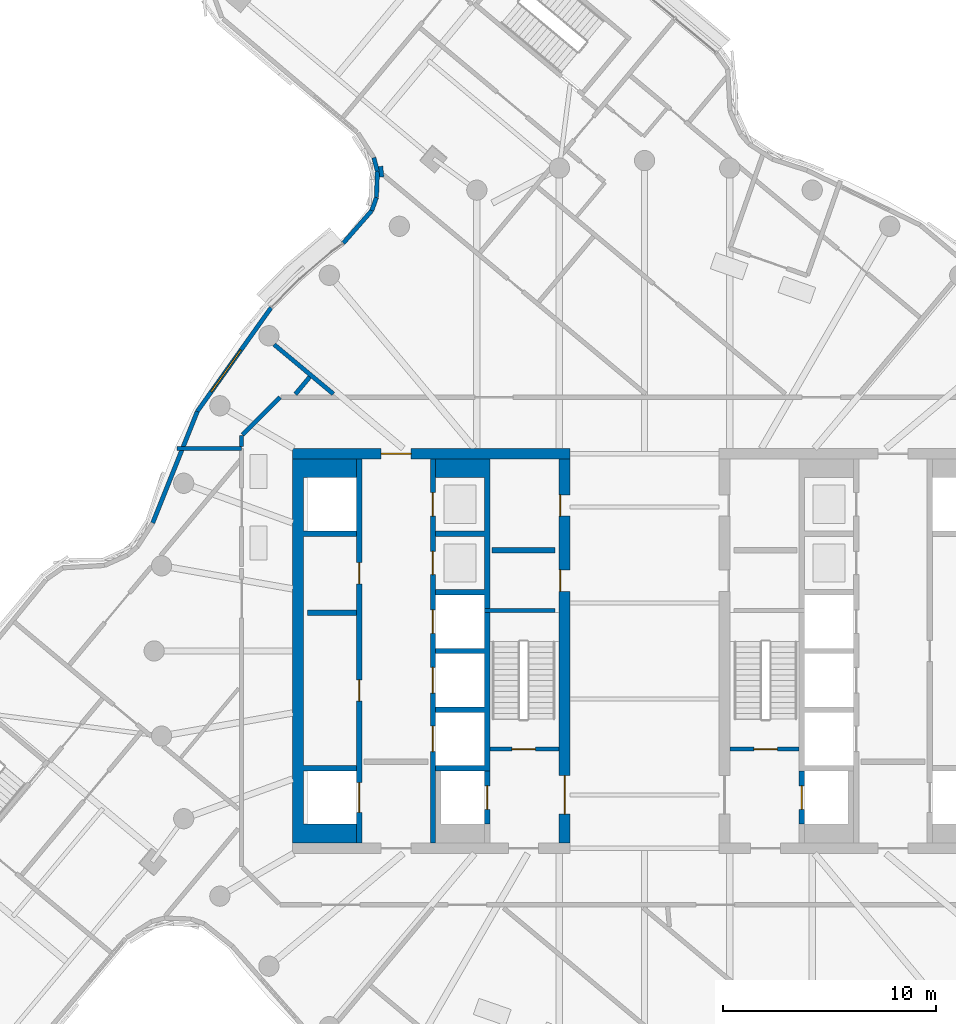
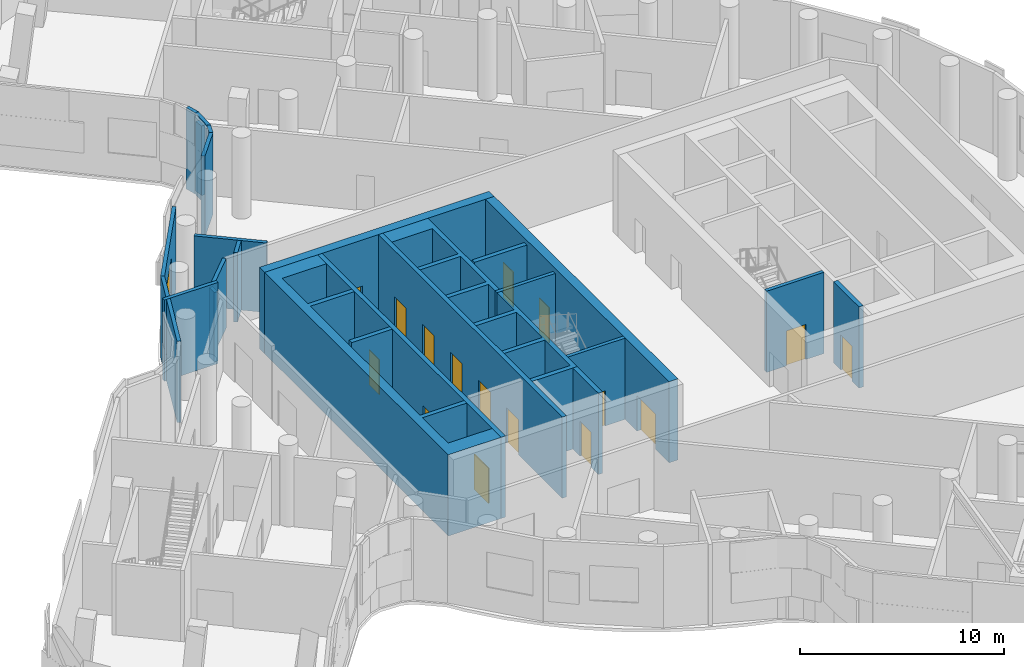
# One storey, part 9 of 19: 25 walls, 16 doors, 1 window, 17 openings.
"""IFC4 building model written with IfcOpenShell, lengths in metres."""

from ifc_helpers import new_model, si_unit, direction, frame, frame_2d, origin, place, context, subcontext, project, spatial, polyline, rectangle, outline, extrude, material, layer, layer_set, type_object, element, fill, save


model = new_model("IFC4")

# Units and contexts
model_context = context("Model", 3, precision=1e-05, world=origin(), true_north=direction((0.0, 1.0)))
body_context = subcontext(model_context, "Body", "Model", "MODEL_VIEW")
ifc_project = project(units=[si_unit("LENGTHUNIT", "METRE"), si_unit("AREAUNIT", "SQUARE_METRE"), si_unit("VOLUMEUNIT", "CUBIC_METRE"), si_unit("PLANEANGLEUNIT", "RADIAN"), si_unit("MASSUNIT", "GRAM", prefix="KILO")], contexts=[model_context])

# Site, building, storey
site_placement = place(None, origin())
site = spatial("IfcSite", under=ifc_project, at=site_placement, CompositionType="ELEMENT")
building_placement = place(site_placement, origin())
building = spatial("IfcBuilding", under=site, at=building_placement, Name="Tamarind Cross Interchange Tower", CompositionType="ELEMENT")
storey_placement = place(building_placement, frame((0.0, 0.0, 214.89990234375)))
storey = spatial("IfcBuildingStorey", under=building, at=storey_placement, Name="L54", CompositionType="ELEMENT", Elevation=214.89990234375)

# Walls
ifc_material_1 = material(Name="Concrete C40", Category="concrete")
ifc_layer_1 = layer(ifc_material_1, 0.199951171875)
ifc_layer_set_1 = layer_set([ifc_layer_1], Name="Concrete C40")
wall_type_1 = type_object("IfcWallType", Name="Balcony and garden door wall", PredefinedType="SOLIDWALL", material=ifc_layer_set_1)
wall_1_placement = place(storey_placement, frame((-18.89990234375, 9.5, 0.0), z_axis=(0.0, 0.0, 1.0), x_axis=(-1.0, 0.0, 0.0)))
element("IfcWall", 1, at=wall_1_placement, inside=storey, type_object=wall_type_1, Name="EXW-L54-WG-L54-NW-R0", PredefinedType="SOLIDWALL", context=body_context, shape_type="SweptSolid", body=[
    extrude(rectangle(XDim=3.033447265625, YDim=0.199951171875, at=frame_2d((1.5166015625, 0.0))), origin(), (0.0, 0.0, 1.0), 4.860107421875),
])
ifc_material_2 = material(Name="Concrete C55", Category="concrete")
ifc_layer_2 = layer(ifc_material_2, 0.5)
ifc_layer_set_2 = layer_set([ifc_layer_2], Name="Concrete C55")
wall_type_2 = type_object("IfcWallType", Name="Core wall 500 mm Concrete C55", PredefinedType="SHEAR", material=ifc_layer_set_2)
wall_2_placement = place(storey_placement, origin())
element("IfcWall", 2, at=wall_2_placement, inside=storey, type_object=wall_type_2, Name="Core wall CWL-L54-W-A", PredefinedType="SHEAR", context=body_context, shape_type="SweptSolid", body=[
    extrude(outline(polyline([(-13.5, -8.125), (-16.0, -8.125), (-16.0, -5.625), (-13.5, -5.625), (-13.5, -5.375), (-16.0, -5.375), (-16.0, 5.375), (-13.5, 5.375), (-13.5, 5.625), (-16.0, 5.625), (-16.0, 8.125), (-13.5, 8.125), (-13.5, 9.0), (-16.0, 9.0), (-16.5, 9.0), (-16.5, -9.0), (-16.0, -9.0), (-13.5, -9.0), (-13.5, -8.125)])), origin(), (0.0, 0.0, 1.0), 4.860107421875),
])

# Wall, opening, door
wall_3_placement = place(storey_placement, frame((-16.5, 9.25, 0.0), z_axis=(0.0, 0.0, 1.0), x_axis=(1.0, 0.0, 0.0)))
wall_3 = element("IfcWall", 3, at=wall_3_placement, inside=storey, type_object=wall_type_2, Name="Core wall CWL-L54-W-NE", PredefinedType="SHEAR", context=body_context, shape_type="SweptSolid", body=[
    extrude(rectangle(XDim=13.0, YDim=0.5, at=frame_2d((6.5, 0.0))), origin(), (0.0, 0.0, 1.0), 4.860107421875),
])
opening_1_placement = place(wall_3_placement, frame((4.14990234375, 0.0, 0.0)))
opening_1 = element("IfcOpeningElement", 4, at=opening_1_placement, cuts=wall_3, Name="Opening DCW31", PredefinedType="OPENING", context=body_context, shape_type="SweptSolid", body=[
    extrude(rectangle(XDim=1.39990234375, YDim=2.10009765625, at=frame_2d((0.699951171875, 1.050048828125))), frame((0.0, 0.260009765625, 0.0), z_axis=(0.0, -1.0, 0.0), x_axis=(1.0, 0.0, 0.0)), (0.0, 0.0, 1.0), 0.52001953125),
])
ifc_material_3 = material(Name="Steel, fire-resisting", Category="steel")
door_type_1 = type_object("IfcDoorType", Name="Core fire door 1400 x 2100 FD90", OperationType="SINGLE_SWING_LEFT", PredefinedType="DOOR", material=ifc_material_3)
door_1_placement = place(opening_1_placement, origin())
door_1 = element("IfcDoor", 5, at=door_1_placement, inside=storey, type_object=door_type_1, Name="L54 lift hall exit door", OperationType="SINGLE_SWING_LEFT", OverallHeight=2.10009765625, OverallWidth=1.39990234375, PredefinedType="DOOR", context=body_context, shape_type="SweptSolid", body=[
    extrude(rectangle(XDim=1.39990234375, YDim=2.10009765625, at=frame_2d((0.699951171875, 1.050048828125))), frame((0.0, 0.02490234375, 0.0), z_axis=(0.0, -1.0, 0.0), x_axis=(1.0, 0.0, 0.0)), (0.0, 0.0, 1.0), 0.050048828125),
])
fill(opening_1, door_1)

# Wall, openings, doors
wall_4_placement = place(storey_placement, frame((-3.75, -9.0, 0.0), z_axis=(0.0, 0.0, 1.0), x_axis=(0.0, 1.0, 0.0)))
wall_4 = element("IfcWall", 6, at=wall_4_placement, inside=storey, type_object=wall_type_2, Name="Core wall CWL-L54-W-IN", PredefinedType="SHEAR", context=body_context, shape_type="SweptSolid", body=[
    extrude(rectangle(XDim=18.0, YDim=0.5, at=frame_2d((9.0, 0.0))), origin(), (0.0, 0.0, 1.0), 4.860107421875),
])
opening_2_placement = place(wall_4_placement, frame((1.35009765625, 0.0, 0.0)))
opening_2 = element("IfcOpeningElement", 7, at=opening_2_placement, cuts=wall_4, Name="Opening DCW4", PredefinedType="OPENING", context=body_context, shape_type="SweptSolid", body=[
    extrude(rectangle(XDim=1.800048828125, YDim=2.10009765625, at=frame_2d((0.89990234375, 1.050048828125))), frame((0.0, 0.260009765625, 0.0), z_axis=(0.0, -1.0, 0.0), x_axis=(1.0, 0.0, 0.0)), (0.0, 0.0, 1.0), 0.52001953125),
])
opening_3_placement = place(wall_4_placement, frame((11.797607421875, 0.0, 0.0)))
opening_3 = element("IfcOpeningElement", 8, at=opening_3_placement, cuts=wall_4, Name="Opening DCW5", PredefinedType="OPENING", context=body_context, shape_type="SweptSolid", body=[
    extrude(rectangle(XDim=1.0, YDim=2.10009765625, at=frame_2d((0.5, 1.050048828125))), frame((0.0, 0.260009765625, 0.0), z_axis=(0.0, -1.0, 0.0), x_axis=(1.0, 0.0, 0.0)), (0.0, 0.0, 1.0), 0.52001953125),
])
opening_4_placement = place(wall_4_placement, frame((15.322509765625, 0.0, 0.0)))
opening_4 = element("IfcOpeningElement", 9, at=opening_4_placement, cuts=wall_4, Name="Opening DCW5", PredefinedType="OPENING", context=body_context, shape_type="SweptSolid", body=[
    extrude(rectangle(XDim=1.0, YDim=2.10009765625, at=frame_2d((0.5, 1.050048828125))), frame((0.0, 0.260009765625, 0.0), z_axis=(0.0, -1.0, 0.0), x_axis=(1.0, 0.0, 0.0)), (0.0, 0.0, 1.0), 0.52001953125),
])
door_type_2 = type_object("IfcDoorType", Name="Core fire door 1000 x 2100 FD90", OperationType="SINGLE_SWING_LEFT", PredefinedType="DOOR", material=ifc_material_3)
door_2_placement = place(opening_3_placement, origin())
door_2 = element("IfcDoor", 10, at=door_2_placement, inside=storey, type_object=door_type_2, Name="L54 plant store door", OperationType="SINGLE_SWING_LEFT", OverallHeight=2.10009765625, OverallWidth=1.0, PredefinedType="DOOR", context=body_context, shape_type="SweptSolid", body=[
    extrude(rectangle(XDim=1.0, YDim=2.10009765625, at=frame_2d((0.5, 1.050048828125))), frame((0.0, 0.22509765625, 0.0), z_axis=(0.0, -1.0, 0.0), x_axis=(1.0, 0.0, 0.0)), (0.0, 0.0, 1.0), 0.050048828125),
])
fill(opening_3, door_2)
door_3_placement = place(opening_4_placement, origin())
door_3 = element("IfcDoor", 11, at=door_3_placement, inside=storey, type_object=door_type_2, Name="L54 pump store door", OperationType="SINGLE_SWING_LEFT", OverallHeight=2.10009765625, OverallWidth=1.0, PredefinedType="DOOR", context=body_context, shape_type="SweptSolid", body=[
    extrude(rectangle(XDim=1.0, YDim=2.10009765625, at=frame_2d((0.5, 1.050048828125))), frame((0.0, 0.22509765625, 0.0), z_axis=(0.0, -1.0, 0.0), x_axis=(1.0, 0.0, 0.0)), (0.0, 0.0, 1.0), 0.050048828125),
])
fill(opening_4, door_3)
door_type_3 = type_object("IfcDoorType", Name="Core fire door 1800 x 2100 FD90", OperationType="SINGLE_SWING_LEFT", PredefinedType="DOOR", material=ifc_material_3)
door_4_placement = place(opening_2_placement, origin())
door_4 = element("IfcDoor", 12, at=door_4_placement, inside=storey, type_object=door_type_3, Name="L54 firefighting lobby door", OperationType="SINGLE_SWING_LEFT", OverallHeight=2.10009765625, OverallWidth=1.800048828125, PredefinedType="DOOR", context=body_context, shape_type="SweptSolid", body=[
    extrude(rectangle(XDim=1.800048828125, YDim=2.10009765625, at=frame_2d((0.89990234375, 1.050048828125))), frame((0.0, 0.02490234375, 0.0), z_axis=(0.0, -1.0, 0.0), x_axis=(1.0, 0.0, 0.0)), (0.0, 0.0, 1.0), 0.050048828125),
])
fill(opening_2, door_4)

# Walls
ifc_layer_3 = layer(ifc_material_2, 0.199951171875)
ifc_layer_set_3 = layer_set([ifc_layer_3], Name="Concrete C55")
wall_type_3 = type_object("IfcWallType", Name="Core web wall 200 mm Concrete C55", PredefinedType="SHEAR", material=ifc_layer_set_3)
wall_5_placement = place(storey_placement, frame((-7.5, 1.89990234375, 0.0), z_axis=(0.0, 0.0, 1.0), x_axis=(1.0, 0.0, 0.0)))
element("IfcWall", 13, at=wall_5_placement, inside=storey, type_object=wall_type_3, Name="Core wall CWL-L54-W-BD", PredefinedType="SHEAR", context=body_context, shape_type="SweptSolid", body=[
    extrude(rectangle(XDim=3.300048828125, YDim=0.199951171875, at=frame_2d((1.64990234375, 0.0))), origin(), (0.0, 0.0, 1.0), 4.860107421875),
])
ifc_layer_4 = layer(ifc_material_2, 0.25)
ifc_layer_set_4 = layer_set([ifc_layer_4], Name="Concrete C55")
wall_type_4 = type_object("IfcWallType", Name="Core web wall 250 mm Concrete C55", PredefinedType="SHEAR", material=ifc_layer_set_4)
wall_6_placement = place(storey_placement, origin())
element("IfcWall", 14, at=wall_6_placement, inside=storey, type_object=wall_type_4, Name="Core wall CWL-L54-W-BN", PredefinedType="SHEAR", context=body_context, shape_type="SweptSolid", body=[
    extrude(outline(polyline([(-9.800048828125, -5.375), (-9.800048828125, -5.625), (-7.5, -5.625), (-7.25, -5.625), (-7.25, 9.0), (-7.5, 9.0), (-9.800048828125, 9.0), (-9.800048828125, 8.125), (-7.5, 8.125), (-7.5, 5.625), (-9.800048828125, 5.625), (-9.800048828125, 5.375), (-7.5, 5.375), (-7.5, 2.875), (-9.800048828125, 2.875), (-9.800048828125, 2.625), (-7.5, 2.625), (-7.5, 0.125), (-9.800048828125, 0.125), (-9.800048828125, -0.125), (-7.5, -0.125), (-7.5, -2.625), (-9.800048828125, -2.625), (-9.800048828125, -2.875), (-7.5, -2.875), (-7.5, -5.375), (-9.800048828125, -5.375)])), origin(), (0.0, 0.0, 1.0), 4.860107421875),
])

# Wall, openings, doors
wall_7_placement = place(storey_placement, frame((-13.375, -9.0, 0.0), z_axis=(0.0, 0.0, 1.0), x_axis=(0.0, 1.0, 0.0)))
wall_7 = element("IfcWall", 15, at=wall_7_placement, inside=storey, type_object=wall_type_4, Name="Core wall CWL-L54-W-LA", PredefinedType="SHEAR", context=body_context, shape_type="SweptSolid", body=[
    extrude(rectangle(XDim=18.0, YDim=0.25, at=frame_2d((9.0, 0.0))), origin(), (0.0, 0.0, 1.0), 4.860107421875),
])
opening_5_placement = place(wall_7_placement, frame((1.425048828125, 0.0, 0.0)))
opening_5 = element("IfcOpeningElement", 16, at=opening_5_placement, cuts=wall_7, Name="Opening LD1L54", PredefinedType="OPENING", context=body_context, shape_type="SweptSolid", body=[
    extrude(rectangle(XDim=1.39990234375, YDim=2.10009765625, at=frame_2d((0.699951171875, 1.050048828125))), frame((0.0, 0.135009765625, 0.0), z_axis=(0.0, -1.0, 0.0), x_axis=(1.0, 0.0, 0.0)), (0.0, 0.0, 1.0), 0.27001953125),
])
opening_6_placement = place(wall_7_placement, frame((6.64599609375, 0.0, 0.0)))
opening_6 = element("IfcOpeningElement", 17, at=opening_6_placement, cuts=wall_7, Name="Opening DCW9", PredefinedType="OPENING", context=body_context, shape_type="SweptSolid", body=[
    extrude(rectangle(XDim=1.0, YDim=2.10009765625, at=frame_2d((0.5, 1.050048828125))), frame((0.0, 0.135009765625, 0.0), z_axis=(0.0, -1.0, 0.0), x_axis=(1.0, 0.0, 0.0)), (0.0, 0.0, 1.0), 0.27001953125),
])
opening_7_placement = place(wall_7_placement, frame((12.14599609375, 0.0, 0.0)))
opening_7 = element("IfcOpeningElement", 18, at=opening_7_placement, cuts=wall_7, Name="Opening DCW10", PredefinedType="OPENING", context=body_context, shape_type="SweptSolid", body=[
    extrude(rectangle(XDim=1.0, YDim=2.10009765625, at=frame_2d((0.5, 1.050048828125))), frame((0.0, 0.135009765625, 0.0), z_axis=(0.0, -1.0, 0.0), x_axis=(1.0, 0.0, 0.0)), (0.0, 0.0, 1.0), 0.27001953125),
])
door_5_placement = place(opening_6_placement, origin())
door_5 = element("IfcDoor", 19, at=door_5_placement, inside=storey, type_object=door_type_2, Name="L54 Refuge plant room door", OperationType="SINGLE_SWING_LEFT", OverallHeight=2.10009765625, OverallWidth=1.0, PredefinedType="DOOR", context=body_context, shape_type="SweptSolid", body=[
    extrude(rectangle(XDim=1.0, YDim=2.10009765625, at=frame_2d((0.5, 1.050048828125))), frame((0.0, 0.02490234375, 0.0), z_axis=(0.0, -1.0, 0.0), x_axis=(1.0, 0.0, 0.0)), (0.0, 0.0, 1.0), 0.050048828125),
])
fill(opening_6, door_5)
door_6_placement = place(opening_7_placement, origin())
door_6 = element("IfcDoor", 20, at=door_6_placement, inside=storey, type_object=door_type_2, Name="L54 Refuge storage room door", OperationType="SINGLE_SWING_LEFT", OverallHeight=2.10009765625, OverallWidth=1.0, PredefinedType="DOOR", context=body_context, shape_type="SweptSolid", body=[
    extrude(rectangle(XDim=1.0, YDim=2.10009765625, at=frame_2d((0.5, 1.050048828125))), frame((0.0, 0.02490234375, 0.0), z_axis=(0.0, -1.0, 0.0), x_axis=(1.0, 0.0, 0.0)), (0.0, 0.0, 1.0), 0.050048828125),
])
fill(opening_7, door_6)
ifc_material_4 = material(Name="Stainless steel panel", Category="steel")
door_type_4 = type_object("IfcDoorType", Name="Lift landing door 1400 x 2100 E 120", OperationType="SLIDING_TO_LEFT", PredefinedType="DOOR", material=ifc_material_4)
door_7_placement = place(opening_5_placement, origin())
door_7 = element("IfcDoor", 21, at=door_7_placement, inside=storey, type_object=door_type_4, Name="L54 landing door LF1", OperationType="SLIDING_TO_LEFT", OverallHeight=2.10009765625, OverallWidth=1.39990234375, PredefinedType="DOOR", context=body_context, shape_type="SweptSolid", body=[
    extrude(rectangle(XDim=1.39990234375, YDim=2.10009765625, at=frame_2d((0.699951171875, 1.050048828125))), frame((0.0, 0.02490234375, 0.0), z_axis=(0.0, -1.0, 0.0), x_axis=(1.0, 0.0, 0.0)), (0.0, 0.0, 1.0), 0.050048828125),
])
fill(opening_5, door_7)

wall_8_placement = place(storey_placement, frame((-9.925048828125, -9.0, 0.0), z_axis=(0.0, 0.0, 1.0), x_axis=(0.0, 1.0, 0.0)))
wall_8 = element("IfcWall", 22, at=wall_8_placement, inside=storey, type_object=wall_type_4, Name="Core wall CWL-L54-W-LB", PredefinedType="SHEAR", context=body_context, shape_type="SweptSolid", body=[
    extrude(rectangle(XDim=18.0, YDim=0.25, at=frame_2d((9.0, 0.0))), origin(), (0.0, 0.0, 1.0), 4.860107421875),
])
opening_8_placement = place(wall_8_placement, frame((4.27490234375, 0.0, 0.0)))
opening_8 = element("IfcOpeningElement", 23, at=opening_8_placement, cuts=wall_8, Name="Opening LD8L54", PredefinedType="OPENING", context=body_context, shape_type="SweptSolid", body=[
    extrude(rectangle(XDim=1.199951171875, YDim=2.10009765625, at=frame_2d((0.60009765625, 1.050048828125))), frame((0.0, 0.135009765625, 0.0), z_axis=(0.0, -1.0, 0.0), x_axis=(1.0, 0.0, 0.0)), (0.0, 0.0, 1.0), 0.27001953125),
])
opening_9_placement = place(wall_8_placement, frame((7.02490234375, 0.0, 0.0)))
opening_9 = element("IfcOpeningElement", 24, at=opening_9_placement, cuts=wall_8, Name="Opening LD9L54", PredefinedType="OPENING", context=body_context, shape_type="SweptSolid", body=[
    extrude(rectangle(XDim=1.199951171875, YDim=2.10009765625, at=frame_2d((0.60009765625, 1.050048828125))), frame((0.0, 0.135009765625, 0.0), z_axis=(0.0, -1.0, 0.0), x_axis=(1.0, 0.0, 0.0)), (0.0, 0.0, 1.0), 0.27001953125),
])
opening_10_placement = place(wall_8_placement, frame((9.824951171875, 0.0, 0.0)))
opening_10 = element("IfcOpeningElement", 25, at=opening_10_placement, cuts=wall_8, Name="Opening LD10L54", PredefinedType="OPENING", context=body_context, shape_type="SweptSolid", body=[
    extrude(rectangle(XDim=1.10009765625, YDim=2.10009765625, at=frame_2d((0.550048828125, 1.050048828125))), frame((0.0, 0.135009765625, 0.0), z_axis=(0.0, -1.0, 0.0), x_axis=(1.0, 0.0, 0.0)), (0.0, 0.0, 1.0), 0.27001953125),
])
opening_11_placement = place(wall_8_placement, frame((12.574951171875, 0.0, 0.0)))
opening_11 = element("IfcOpeningElement", 26, at=opening_11_placement, cuts=wall_8, Name="Opening LD11L54", PredefinedType="OPENING", context=body_context, shape_type="SweptSolid", body=[
    extrude(rectangle(XDim=1.10009765625, YDim=2.10009765625, at=frame_2d((0.550048828125, 1.050048828125))), frame((0.0, 0.135009765625, 0.0), z_axis=(0.0, -1.0, 0.0), x_axis=(1.0, 0.0, 0.0)), (0.0, 0.0, 1.0), 0.27001953125),
])
opening_12_placement = place(wall_8_placement, frame((15.324951171875, 0.0, 0.0)))
opening_12 = element("IfcOpeningElement", 27, at=opening_12_placement, cuts=wall_8, Name="Opening LD12L54", PredefinedType="OPENING", context=body_context, shape_type="SweptSolid", body=[
    extrude(rectangle(XDim=1.10009765625, YDim=2.10009765625, at=frame_2d((0.550048828125, 1.050048828125))), frame((0.0, 0.135009765625, 0.0), z_axis=(0.0, -1.0, 0.0), x_axis=(1.0, 0.0, 0.0)), (0.0, 0.0, 1.0), 0.27001953125),
])
door_type_5 = type_object("IfcDoorType", Name="Lift landing door 1100 x 2100 E 120", OperationType="SLIDING_TO_LEFT", PredefinedType="DOOR", material=ifc_material_4)
door_8_placement = place(opening_10_placement, origin())
door_8 = element("IfcDoor", 28, at=door_8_placement, inside=storey, type_object=door_type_5, Name="L54 landing door LF10", OperationType="SLIDING_TO_LEFT", OverallHeight=2.10009765625, OverallWidth=1.10009765625, PredefinedType="DOOR", context=body_context, shape_type="SweptSolid", body=[
    extrude(rectangle(XDim=1.10009765625, YDim=2.10009765625, at=frame_2d((0.550048828125, 1.050048828125))), frame((0.0, 0.02490234375, 0.0), z_axis=(0.0, -1.0, 0.0), x_axis=(1.0, 0.0, 0.0)), (0.0, 0.0, 1.0), 0.050048828125),
])
fill(opening_10, door_8)
door_9_placement = place(opening_11_placement, origin())
door_9 = element("IfcDoor", 29, at=door_9_placement, inside=storey, type_object=door_type_5, Name="L54 landing door LF11", OperationType="SLIDING_TO_LEFT", OverallHeight=2.10009765625, OverallWidth=1.10009765625, PredefinedType="DOOR", context=body_context, shape_type="SweptSolid", body=[
    extrude(rectangle(XDim=1.10009765625, YDim=2.10009765625, at=frame_2d((0.550048828125, 1.050048828125))), frame((0.0, 0.02490234375, 0.0), z_axis=(0.0, -1.0, 0.0), x_axis=(1.0, 0.0, 0.0)), (0.0, 0.0, 1.0), 0.050048828125),
])
fill(opening_11, door_9)
door_10_placement = place(opening_12_placement, origin())
door_10 = element("IfcDoor", 30, at=door_10_placement, inside=storey, type_object=door_type_5, Name="L54 landing door LF12", OperationType="SLIDING_TO_LEFT", OverallHeight=2.10009765625, OverallWidth=1.10009765625, PredefinedType="DOOR", context=body_context, shape_type="SweptSolid", body=[
    extrude(rectangle(XDim=1.10009765625, YDim=2.10009765625, at=frame_2d((0.550048828125, 1.050048828125))), frame((0.0, 0.02490234375, 0.0), z_axis=(0.0, -1.0, 0.0), x_axis=(1.0, 0.0, 0.0)), (0.0, 0.0, 1.0), 0.050048828125),
])
fill(opening_12, door_10)
door_type_6 = type_object("IfcDoorType", Name="Lift landing door 1200 x 2100 E 120", OperationType="SLIDING_TO_LEFT", PredefinedType="DOOR", material=ifc_material_4)
door_11_placement = place(opening_8_placement, origin())
door_11 = element("IfcDoor", 31, at=door_11_placement, inside=storey, type_object=door_type_6, Name="L54 landing door LF8", OperationType="SLIDING_TO_LEFT", OverallHeight=2.10009765625, OverallWidth=1.199951171875, PredefinedType="DOOR", context=body_context, shape_type="SweptSolid", body=[
    extrude(rectangle(XDim=1.199951171875, YDim=2.10009765625, at=frame_2d((0.60009765625, 1.050048828125))), frame((0.0, 0.02490234375, 0.0), z_axis=(0.0, -1.0, 0.0), x_axis=(1.0, 0.0, 0.0)), (0.0, 0.0, 1.0), 0.050048828125),
])
fill(opening_8, door_11)
door_12_placement = place(opening_9_placement, origin())
door_12 = element("IfcDoor", 32, at=door_12_placement, inside=storey, type_object=door_type_6, Name="L54 landing door LF9", OperationType="SLIDING_TO_LEFT", OverallHeight=2.10009765625, OverallWidth=1.199951171875, PredefinedType="DOOR", context=body_context, shape_type="SweptSolid", body=[
    extrude(rectangle(XDim=1.199951171875, YDim=2.10009765625, at=frame_2d((0.60009765625, 1.050048828125))), frame((0.0, 0.02490234375, 0.0), z_axis=(0.0, -1.0, 0.0), x_axis=(1.0, 0.0, 0.0)), (0.0, 0.0, 1.0), 0.050048828125),
])
fill(opening_9, door_12)

# Wall, opening, door
wall_9_placement = place(storey_placement, frame((-7.375, -8.125, 0.0), z_axis=(0.0, 0.0, 1.0), x_axis=(0.0, 1.0, 0.0)))
wall_9 = element("IfcWall", 33, at=wall_9_placement, inside=storey, type_object=wall_type_4, Name="Core wall CWL-L54-W-FF", PredefinedType="SHEAR", context=body_context, shape_type="SweptSolid", body=[
    extrude(rectangle(XDim=2.5, YDim=0.25, at=frame_2d((1.25, 0.0))), origin(), (0.0, 0.0, 1.0), 4.860107421875),
])
opening_13_placement = place(wall_9_placement, frame((0.699951171875, 0.0, 0.0)))
opening_13 = element("IfcOpeningElement", 34, at=opening_13_placement, cuts=wall_9, Name="Opening LD7L54", PredefinedType="OPENING", context=body_context, shape_type="SweptSolid", body=[
    extrude(rectangle(XDim=1.10009765625, YDim=2.10009765625, at=frame_2d((0.550048828125, 1.050048828125))), frame((0.0, 0.135009765625, 0.0), z_axis=(0.0, -1.0, 0.0), x_axis=(1.0, 0.0, 0.0)), (0.0, 0.0, 1.0), 0.27001953125),
])
door_13_placement = place(opening_13_placement, origin())
door_13 = element("IfcDoor", 35, at=door_13_placement, inside=storey, type_object=door_type_5, Name="L54 landing door LF7", OperationType="SLIDING_TO_LEFT", OverallHeight=2.10009765625, OverallWidth=1.10009765625, PredefinedType="DOOR", context=body_context, shape_type="SweptSolid", body=[
    extrude(rectangle(XDim=1.10009765625, YDim=2.10009765625, at=frame_2d((0.550048828125, 1.050048828125))), frame((0.0, 0.02490234375, 0.0), z_axis=(0.0, -1.0, 0.0), x_axis=(1.0, 0.0, 0.0)), (0.0, 0.0, 1.0), 0.050048828125),
])
fill(opening_13, door_13)

wall_10_placement = place(storey_placement, frame((7.375, -8.125, 0.0), z_axis=(0.0, 0.0, 1.0), x_axis=(0.0, 1.0, 0.0)))
wall_10 = element("IfcWall", 36, at=wall_10_placement, inside=storey, type_object=wall_type_4, Name="Core wall CWL-L54-E-FF", PredefinedType="SHEAR", context=body_context, shape_type="SweptSolid", body=[
    extrude(rectangle(XDim=2.5, YDim=0.25, at=frame_2d((1.25, 0.0))), origin(), (0.0, 0.0, 1.0), 4.860107421875),
])
opening_14_placement = place(wall_10_placement, frame((0.699951171875, 0.0, 0.0)))
opening_14 = element("IfcOpeningElement", 37, at=opening_14_placement, cuts=wall_10, Name="Opening LD19L54", PredefinedType="OPENING", context=body_context, shape_type="SweptSolid", body=[
    extrude(rectangle(XDim=1.10009765625, YDim=2.10009765625, at=frame_2d((0.550048828125, 1.050048828125))), frame((0.0, 0.135009765625, 0.0), z_axis=(0.0, -1.0, 0.0), x_axis=(1.0, 0.0, 0.0)), (0.0, 0.0, 1.0), 0.27001953125),
])
door_14_placement = place(opening_14_placement, origin())
door_14 = element("IfcDoor", 38, at=door_14_placement, inside=storey, type_object=door_type_5, Name="L54 landing door LF19", OperationType="SLIDING_TO_LEFT", OverallHeight=2.10009765625, OverallWidth=1.10009765625, PredefinedType="DOOR", context=body_context, shape_type="SweptSolid", body=[
    extrude(rectangle(XDim=1.10009765625, YDim=2.10009765625, at=frame_2d((0.550048828125, 1.050048828125))), frame((0.0, 0.02490234375, 0.0), z_axis=(0.0, -1.0, 0.0), x_axis=(1.0, 0.0, 0.0)), (0.0, 0.0, 1.0), 0.050048828125),
])
fill(opening_14, door_14)

# Walls
ifc_material_5 = material(Name="Gypsum board partition on steel studs", Category="steel")
ifc_layer_5 = layer(ifc_material_5, 0.199951171875)
ifc_layer_set_5 = layer_set([ifc_layer_5], Name="Gypsum board partition on steel studs")
wall_type_5 = type_object("IfcWallType", Name="Partition 200 mm EI 180", PredefinedType="PARTITIONING", material=ifc_layer_set_5)
wall_11_placement = place(storey_placement, frame((-17.369873046875, 14.370849609375, 0.0), z_axis=(0.0, 0.0, 1.0), x_axis=(0.767916419385, -0.640550054905, 0.0)))
element("IfcWall", 39, at=wall_11_placement, inside=storey, type_object=wall_type_5, Name="Partition L54-008", PredefinedType="PARTITIONING", context=body_context, shape_type="SweptSolid", body=[
    extrude(rectangle(XDim=3.611328125, YDim=0.199951171875, at=frame_2d((1.8056640625, 0.0))), origin(), (0.0, 0.0, 1.0), 4.16015625),
])
wall_12_placement = place(storey_placement, frame((-18.857666015625, 10.142333984375, 0.0), z_axis=(0.0, 0.0, 1.0), x_axis=(0.707106781187, 0.707106781187, 0.0)))
element("IfcWall", 40, at=wall_12_placement, inside=storey, type_object=wall_type_5, Name="Partition L54-025", PredefinedType="PARTITIONING", context=body_context, shape_type="SweptSolid", body=[
    extrude(rectangle(XDim=2.485595703125, YDim=0.199951171875, at=frame_2d((1.24267578125, 0.0))), origin(), (0.0, 0.0, 1.0), 4.16015625),
])
wall_13_placement = place(storey_placement, frame((-16.37451171875, 12.0458984375, 0.0), z_axis=(0.0, 0.0, 1.0), x_axis=(0.640757178851, 0.767743601569, 0.0)))
element("IfcWall", 41, at=wall_13_placement, inside=storey, type_object=wall_type_5, Name="Partition L54-031", PredefinedType="PARTITIONING", context=body_context, shape_type="SweptSolid", body=[
    extrude(rectangle(XDim=1.0478515625, YDim=0.199951171875, at=frame_2d((0.52392578125, 0.0))), origin(), (0.0, 0.0, 1.0), 4.16015625),
])
wall_14_placement = place(storey_placement, frame((-18.89990234375, 9.599853515625, 0.0), z_axis=(0.0, 0.0, 1.0), x_axis=(0.0, 1.0, 0.0)))
element("IfcWall", 42, at=wall_14_placement, inside=storey, type_object=wall_type_5, Name="Partition L54-048", PredefinedType="PARTITIONING", context=body_context, shape_type="SweptSolid", body=[
    extrude(rectangle(XDim=0.500244140625, YDim=0.199951171875, at=frame_2d((0.25, 0.0))), origin(), (0.0, 0.0, 1.0), 4.16015625),
])
wall_15_placement = place(storey_placement, frame((-12.376953125, 22.73095703125, 0.0), z_axis=(0.0, 0.0, 1.0), x_axis=(0.112307083986, -0.993673547442, 0.0)))
element("IfcWall", 43, at=wall_15_placement, inside=storey, type_object=wall_type_5, Name="Partition L54-050", PredefinedType="PARTITIONING", context=body_context, shape_type="SweptSolid", body=[
    extrude(rectangle(XDim=0.5, YDim=0.199951171875, at=frame_2d((0.25, 0.0))), origin(), (0.0, 0.0, 1.0), 4.16015625),
])
ifc_material_6 = material(Name="Precast concrete C40", Category="concrete")
ifc_layer_6 = layer(ifc_material_6, 0.199951171875)
ifc_layer_set_6 = layer_set([ifc_layer_6], Name="Precast concrete C40")
wall_type_6 = type_object("IfcWallType", Name="Refuge level external wall", PredefinedType="SOLIDWALL", material=ifc_layer_set_6)
wall_16_placement = place(storey_placement, frame((-12.6982421875, 23.135009765625, 0.0), z_axis=(0.0, 0.0, 1.0), x_axis=(0.263532690811, -0.964650465648, 0.0)))
element("IfcWall", 44, at=wall_16_placement, inside=storey, type_object=wall_type_6, Name="RFW-L54-10-01", PredefinedType="SOLIDWALL", context=body_context, shape_type="SweptSolid", body=[
    extrude(rectangle(XDim=0.646728515625, YDim=0.199951171875, at=frame_2d((0.3232421875, 0.0))), origin(), (0.0, 0.0, 1.0), 4.860107421875),
])
wall_17_placement = place(storey_placement, frame((-12.52783203125, 22.51123046875, 0.0), z_axis=(0.0, 0.0, 1.0), x_axis=(-0.037627776093, -0.999291824477, 0.0)))
element("IfcWall", 45, at=wall_17_placement, inside=storey, type_object=wall_type_6, Name="RFW-L54-10-02", PredefinedType="SOLIDWALL", context=body_context, shape_type="SweptSolid", body=[
    extrude(rectangle(XDim=1.245849609375, YDim=0.199951171875, at=frame_2d((0.623046875, 0.0))), origin(), (0.0, 0.0, 1.0), 4.860107421875),
])
wall_18_placement = place(storey_placement, frame((-12.57470703125, 21.266357421875, 0.0), z_axis=(0.0, 0.0, 1.0), x_axis=(-0.335669576077, -0.9419797958, 0.0)))
element("IfcWall", 46, at=wall_18_placement, inside=storey, type_object=wall_type_6, Name="RFW-L54-10-03", PredefinedType="SOLIDWALL", context=body_context, shape_type="SweptSolid", body=[
    extrude(rectangle(XDim=0.6494140625, YDim=0.199951171875, at=frame_2d((0.32470703125, 0.0))), origin(), (0.0, 0.0, 1.0), 4.860107421875),
])
wall_19_placement = place(storey_placement, frame((-12.792724609375, 20.654541015625, 0.0), z_axis=(0.0, 0.0, 1.0), x_axis=(-0.658742820899, -0.752368191722, 0.0)))
element("IfcWall", 47, at=wall_19_placement, inside=storey, type_object=wall_type_6, Name="RFW-L54-10-04", PredefinedType="SOLIDWALL", context=body_context, shape_type="SweptSolid", body=[
    extrude(rectangle(XDim=2.03125, YDim=0.199951171875, at=frame_2d((1.015625, 0.0))), origin(), (0.0, 0.0, 1.0), 4.860107421875),
])

# Wall, opening, window
wall_20_placement = place(storey_placement, frame((-17.514892578125, 16.10302734375, 0.0), z_axis=(0.0, 0.0, 1.0), x_axis=(-0.57952016676, -0.814957898495, 0.0)))
wall_20 = element("IfcWall", 48, at=wall_20_placement, inside=storey, type_object=wall_type_6, Name="RFW-L54-10-10", PredefinedType="SOLIDWALL", context=body_context, shape_type="SweptSolid", body=[
    extrude(rectangle(XDim=5.972900390625, YDim=0.199951171875, at=frame_2d((2.986328125, 0.0))), origin(), (0.0, 0.0, 1.0), 4.860107421875),
])
opening_15_placement = place(wall_20_placement, frame((2.445068359375, 0.0, 1.39990234375)))
opening_15 = element("IfcOpeningElement", 49, at=opening_15_placement, cuts=wall_20, Name="Opening W3", PredefinedType="OPENING", context=body_context, shape_type="SweptSolid", body=[
    extrude(rectangle(XDim=2.39990234375, YDim=2.10009765625, at=frame_2d((1.199951171875, 1.050048828125))), frame((0.0, 0.10986328125, 0.0), z_axis=(0.0, -1.0, 0.0), x_axis=(1.0, 0.0, 0.0)), (0.0, 0.0, 1.0), 0.219970703125),
])
ifc_material_7 = material(Name="Aluminium and fire-resisting glass", Category="aluminium")
window_type = type_object("IfcWindowType", Name="Refuge rescue window", PartitioningType="DOUBLE_PANEL_VERTICAL", PredefinedType="WINDOW", material=ifc_material_7)
window_placement = place(opening_15_placement, origin())
window = element("IfcWindow", 50, at=window_placement, inside=storey, type_object=window_type, Name="RSW-L54-10-02", OverallHeight=2.10009765625, OverallWidth=2.39990234375, PartitioningType="SINGLE_PANEL", PredefinedType="WINDOW", context=body_context, shape_type="SweptSolid", body=[
    extrude(rectangle(XDim=2.39990234375, YDim=2.10009765625, at=frame_2d((1.199951171875, 1.050048828125))), frame((0.0, 0.030029296875, 0.0), z_axis=(0.0, -1.0, 0.0), x_axis=(1.0, 0.0, 0.0)), (0.0, 0.0, 1.0), 0.06005859375),
])
fill(opening_15, window)

# Walls
wall_21_placement = place(storey_placement, frame((-20.976318359375, 11.2353515625, 0.0), z_axis=(0.0, 0.0, 1.0), x_axis=(-0.370957476811, -0.928649853496, 0.0)))
element("IfcWall", 51, at=wall_21_placement, inside=storey, type_object=wall_type_6, Name="RFW-L54-10-11", PredefinedType="SOLIDWALL", context=body_context, shape_type="SweptSolid", body=[
    extrude(rectangle(XDim=5.63623046875, YDim=0.199951171875, at=frame_2d((2.818115234375, 0.0))), origin(), (0.0, 0.0, 1.0), 4.860107421875),
])
ifc_layer_7 = layer(ifc_material_1, 0.25)
ifc_layer_set_7 = layer_set([ifc_layer_7], Name="Concrete C40")
wall_type_7 = type_object("IfcWallType", Name="Shaft and lobby wall 250 mm Concrete C40", PredefinedType="PARTITIONING", material=ifc_layer_set_7)
wall_22_placement = place(storey_placement, frame((-7.14990234375, 4.719970703125, 0.0), z_axis=(0.0, 0.0, 1.0), x_axis=(1.0, 0.0, 0.0)))
element("IfcWall", 52, at=wall_22_placement, inside=storey, type_object=wall_type_7, Name="Shaft wall CWL-L54-W-SVP", PredefinedType="PARTITIONING", context=body_context, shape_type="SweptSolid", body=[
    extrude(rectangle(XDim=2.949951171875, YDim=0.25, at=frame_2d((1.47509765625, 0.0))), origin(), (0.0, 0.0, 1.0), 4.860107421875),
])
wall_23_placement = place(storey_placement, frame((-15.800048828125, 1.7919921875, 0.0), z_axis=(0.0, 0.0, 1.0), x_axis=(1.0, 0.0, 0.0)))
element("IfcWall", 53, at=wall_23_placement, inside=storey, type_object=wall_type_7, Name="Shaft wall CWL-L54-W-FPA1", PredefinedType="PARTITIONING", context=body_context, shape_type="SweptSolid", body=[
    extrude(rectangle(XDim=2.300048828125, YDim=0.25, at=frame_2d((1.14990234375, 0.0))), origin(), (0.0, 0.0, 1.0), 4.860107421875),
])

# Wall, opening, door
ifc_layer_8 = layer(ifc_material_1, 0.199951171875)
ifc_layer_set_8 = layer_set([ifc_layer_8], Name="Concrete C40")
wall_type_8 = type_object("IfcWallType", Name="Stair shaft wall 200 mm Concrete C40", PredefinedType="SHEAR", material=ifc_layer_set_8)
wall_24_placement = place(storey_placement, frame((-7.25, -4.60009765625, 0.0), z_axis=(0.0, 0.0, 1.0), x_axis=(1.0, 0.0, 0.0)))
wall_24 = element("IfcWall", 54, at=wall_24_placement, inside=storey, type_object=wall_type_8, Name="Core wall CWL-L54-W-SD", PredefinedType="SHEAR", context=body_context, shape_type="SweptSolid", body=[
    extrude(rectangle(XDim=3.25, YDim=0.199951171875, at=frame_2d((1.625, 0.0))), origin(), (0.0, 0.0, 1.0), 4.860107421875),
])
opening_16_placement = place(wall_24_placement, frame((1.02490234375, 0.0, 0.0)))
opening_16 = element("IfcOpeningElement", 55, at=opening_16_placement, cuts=wall_24, Name="Opening DCW6", PredefinedType="OPENING", context=body_context, shape_type="SweptSolid", body=[
    extrude(rectangle(XDim=1.10009765625, YDim=2.10009765625, at=frame_2d((0.550048828125, 1.050048828125))), frame((0.0, 0.10986328125, 0.0), z_axis=(0.0, -1.0, 0.0), x_axis=(1.0, 0.0, 0.0)), (0.0, 0.0, 1.0), 0.219970703125),
])
door_type_7 = type_object("IfcDoorType", Name="Core fire door 1100 x 2100 FD90", OperationType="SINGLE_SWING_LEFT", PredefinedType="DOOR", material=ifc_material_3)
door_15_placement = place(opening_16_placement, origin())
door_15 = element("IfcDoor", 56, at=door_15_placement, inside=storey, type_object=door_type_7, Name="L54 stair door", OperationType="SINGLE_SWING_LEFT", OverallHeight=2.10009765625, OverallWidth=1.10009765625, PredefinedType="DOOR", context=body_context, shape_type="SweptSolid", body=[
    extrude(rectangle(XDim=1.10009765625, YDim=2.10009765625, at=frame_2d((0.550048828125, 1.050048828125))), frame((0.0, 0.02490234375, 0.0), z_axis=(0.0, -1.0, 0.0), x_axis=(1.0, 0.0, 0.0)), (0.0, 0.0, 1.0), 0.050048828125),
])
fill(opening_16, door_15)

wall_25_placement = place(storey_placement, frame((7.25, -4.60009765625, 0.0), z_axis=(0.0, 0.0, 1.0), x_axis=(-1.0, 0.0, 0.0)))
wall_25 = element("IfcWall", 57, at=wall_25_placement, inside=storey, type_object=wall_type_8, Name="Core wall CWL-L54-E-SD", PredefinedType="SHEAR", context=body_context, shape_type="SweptSolid", body=[
    extrude(rectangle(XDim=3.25, YDim=0.199951171875, at=frame_2d((1.625, 0.0))), origin(), (0.0, 0.0, 1.0), 4.860107421875),
])
opening_17_placement = place(wall_25_placement, frame((1.02490234375, 0.0, 0.0)))
opening_17 = element("IfcOpeningElement", 58, at=opening_17_placement, cuts=wall_25, Name="Opening DCE6", PredefinedType="OPENING", context=body_context, shape_type="SweptSolid", body=[
    extrude(rectangle(XDim=1.10009765625, YDim=2.10009765625, at=frame_2d((0.550048828125, 1.050048828125))), frame((0.0, 0.10986328125, 0.0), z_axis=(0.0, -1.0, 0.0), x_axis=(1.0, 0.0, 0.0)), (0.0, 0.0, 1.0), 0.219970703125),
])
door_16_placement = place(opening_17_placement, origin())
door_16 = element("IfcDoor", 59, at=door_16_placement, inside=storey, type_object=door_type_7, Name="L54 stair door", OperationType="SINGLE_SWING_LEFT", OverallHeight=2.10009765625, OverallWidth=1.10009765625, PredefinedType="DOOR", context=body_context, shape_type="SweptSolid", body=[
    extrude(rectangle(XDim=1.10009765625, YDim=2.10009765625, at=frame_2d((0.550048828125, 1.050048828125))), frame((0.0, 0.02490234375, 0.0), z_axis=(0.0, -1.0, 0.0), x_axis=(1.0, 0.0, 0.0)), (0.0, 0.0, 1.0), 0.050048828125),
])
fill(opening_17, door_16)

save(model, "model.ifc")
